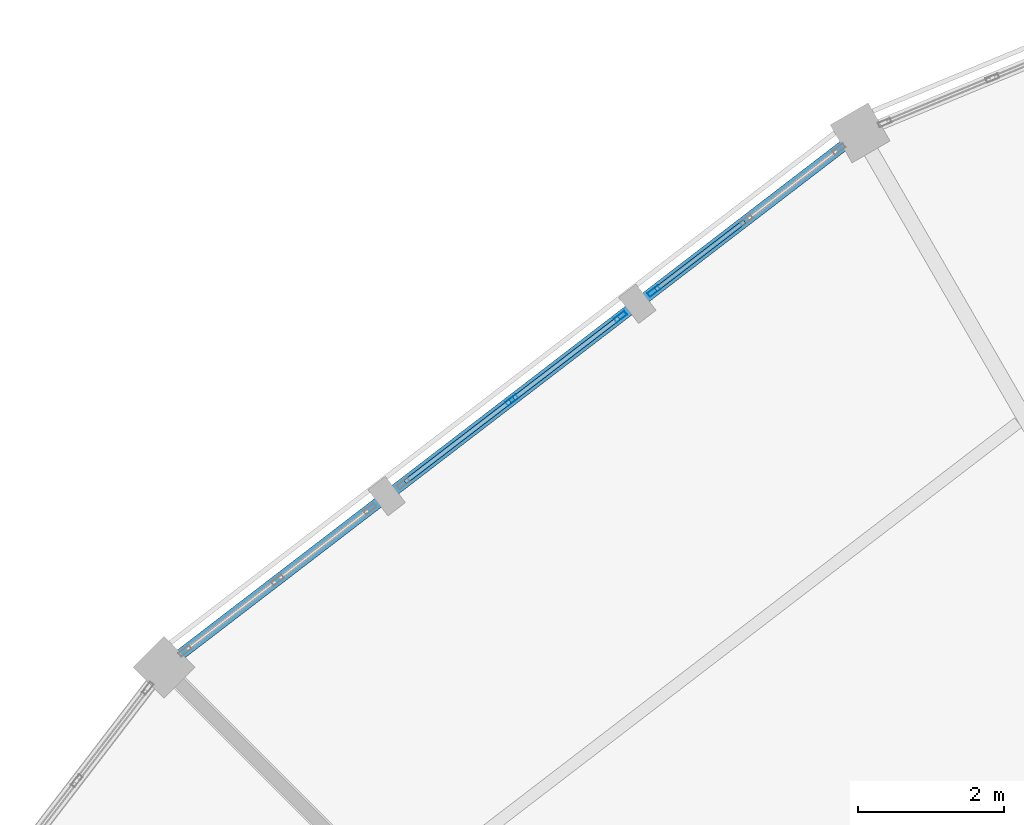
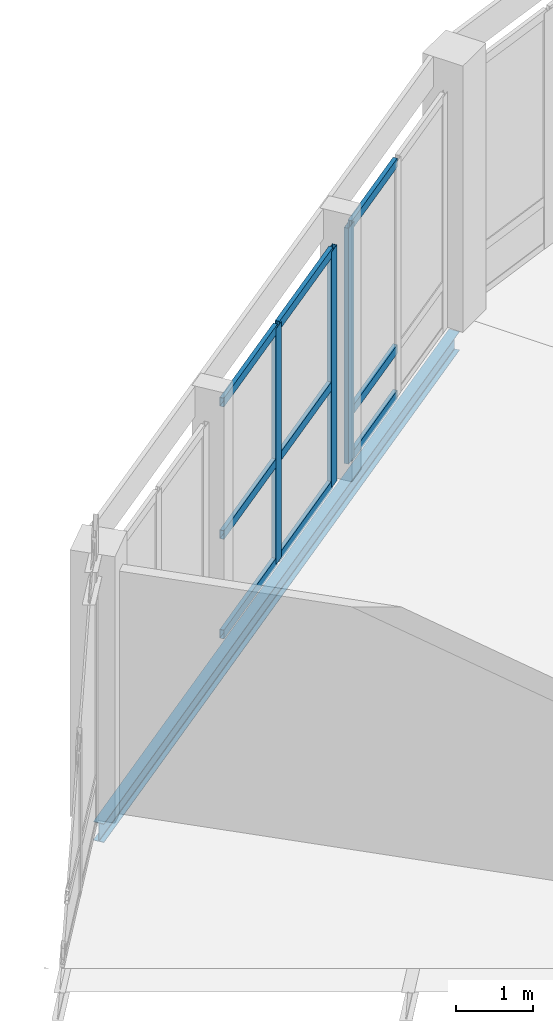
# One storey, part 90 of 200: 12 members, 1 beam, 2 elements without a shape of their own.
"""IFC4 building model written with IfcOpenShell, lengths in metres."""

from ifc_helpers import new_model, si_unit, direction, frame, origin, origin_2d, place, context, subcontext, project, spatial, hollow_rectangle, i_section, extrude, material, material_profile, profile_set, type_object, element, aggregate, save


model = new_model("IFC4")

# Units and contexts
model_context = context("Model", 3, precision=1e-05, world=origin(), true_north=direction((0.0, 1.0)))
body_context = subcontext(model_context, "Body", "Model", "MODEL_VIEW")
ifc_project = project(units=[si_unit("LENGTHUNIT", "METRE"), si_unit("AREAUNIT", "SQUARE_METRE"), si_unit("VOLUMEUNIT", "CUBIC_METRE"), si_unit("PLANEANGLEUNIT", "RADIAN"), si_unit("MASSUNIT", "GRAM", prefix="KILO")], contexts=[model_context])

# Site, building, storey
site_placement = place(None, origin())
site = spatial("IfcSite", under=ifc_project, at=site_placement, CompositionType="ELEMENT")
building_placement = place(site_placement, origin())
building = spatial("IfcBuilding", under=site, at=building_placement, Name="Vondelvale Polytechnic", CompositionType="ELEMENT")
storey_placement = place(building_placement, frame((0.0, 0.0, 13.800048828125)))
storey = spatial("IfcBuildingStorey", under=building, at=storey_placement, Name="L03", CompositionType="ELEMENT", Elevation=13.800048828125)

# Beam
ifc_material_1 = material(Name="Steel 300PLUS (fy = 300 MPa)", Category="steel")
ifc_material_profile_1 = material_profile(ifc_material_1, i_section(OverallWidth=0.14892578125, OverallDepth=0.298095703125, WebThickness=0.005615234375, FlangeThickness=0.008056640625, FilletRadius=0.011474609375, at=origin_2d()), Name="310UB32.0")
ifc_profile_set_1 = profile_set([ifc_material_profile_1], Name="Steel 300PLUS (fy = 300 MPa)")
beam_type = type_object("IfcBeamType", Name="BM-UB310L", PredefinedType="BEAM", material=ifc_profile_set_1)
beam_placement = place(storey_placement, frame((79.0, 111.837158203125, -0.399169921875), z_axis=(-0.793349743808, -0.608766116008, 0.0), x_axis=(0.608766116008, -0.793349743808, 0.0)))
element("IfcBeam", 1, at=beam_placement, inside=storey, type_object=beam_type, Name="L03 RB B-25", PredefinedType="BEAM", context=body_context, shape_type="SweptSolid", body=[
    extrude(i_section(OverallWidth=0.14892578125, OverallDepth=0.298095703125, WebThickness=0.005615234375, FlangeThickness=0.008056640625, FilletRadius=0.011474609375, at=origin_2d()), origin(), (0.0, 0.0, 1.0), 12.00830078125),
])

# Curtain wall, member
ifc_material_2 = material(Name="Glulam GL18 structural Tasmanian oak (fb = 42 MPa)", Category="wood")
curtain_wall_type = type_object("IfcCurtainWallType", Name="CW-RING-OUTER", PredefinedType="NOTDEFINED", material=ifc_material_2)
curtain_wall_1_placement = place(storey_placement, origin())
curtain_wall_1 = element("IfcCurtainWall", 2, at=curtain_wall_1_placement, inside=storey, type_object=curtain_wall_type, Name="L03 architectural curtain wall CW-04-203", PredefinedType="NOTDEFINED")
ifc_material_3 = material(Name="Anodised extruded aluminium 6063-T6", Category="aluminium")
ifc_material_profile_2 = material_profile(ifc_material_3, hollow_rectangle(XDim=0.06494140625, YDim=0.179931640625, WallThickness=0.00390625, at=origin_2d()), Name="CW-MUL-180x65")
ifc_profile_set_2 = profile_set([ifc_material_profile_2], Name="Anodised extruded aluminium 6063-T6")
member_type_1 = type_object("IfcMemberType", Name="CW-MUL-65x180", PredefinedType="MULLION", material=ifc_profile_set_2)
member_1_placement = place(storey_placement, frame((76.179443359375, 109.6728515625, 0.0), z_axis=(0.0, 0.0, 1.0), x_axis=(0.608786860133, -0.793333825656, 0.0)))
member_1 = element("IfcMember", 3, at=member_1_placement, type_object=member_type_1, Name="CW-04-203 mullion 3", PredefinedType="MULLION", context=body_context, shape_type="SweptSolid", body=[
    extrude(hollow_rectangle(XDim=0.06494140625, YDim=0.179931640625, WallThickness=0.00390625, at=origin_2d()), origin(), (0.0, 0.0, 1.0), 3.719970703125),
])

# Curtain wall, members
curtain_wall_2_placement = place(storey_placement, origin())
curtain_wall_2 = element("IfcCurtainWall", 4, at=curtain_wall_2_placement, inside=storey, type_object=curtain_wall_type, Name="L03 architectural curtain wall CW-04-204", PredefinedType="NOTDEFINED")
member_2_placement = place(storey_placement, frame((75.723388671875, 109.322998046875, 0.0), z_axis=(0.0, 0.0, 1.0), x_axis=(0.608771189063, -0.793345851043, 0.0)))
member_2 = element("IfcMember", 5, at=member_2_placement, type_object=member_type_1, Name="CW-04-204 mullion 1", PredefinedType="MULLION", context=body_context, shape_type="SweptSolid", body=[
    extrude(hollow_rectangle(XDim=0.06494140625, YDim=0.179931640625, WallThickness=0.00390625, at=origin_2d()), origin(), (0.0, 0.0, 1.0), 3.719970703125),
])
member_3_placement = place(storey_placement, frame((74.236572265625, 108.18212890625, 0.0), z_axis=(0.0, 0.0, 1.0), x_axis=(0.608771189063, -0.793345851043, 0.0)))
member_3 = element("IfcMember", 6, at=member_3_placement, type_object=member_type_1, Name="CW-04-204 mullion 2", PredefinedType="MULLION", context=body_context, shape_type="SweptSolid", body=[
    extrude(hollow_rectangle(XDim=0.06494140625, YDim=0.179931640625, WallThickness=0.00390625, at=origin_2d()), origin(), (0.0, 0.0, 1.0), 3.719970703125),
])

# Member
ifc_material_profile_3 = material_profile(ifc_material_3, hollow_rectangle(XDim=0.06005859375, YDim=0.139892578125, WallThickness=0.00341796875, at=origin_2d()), Name="CW-TRN-140x60")
ifc_profile_set_3 = profile_set([ifc_material_profile_3], Name="Anodised extruded aluminium 6063-T6")
member_type_2 = type_object("IfcMemberType", Name="CW-TRN-60x140", PredefinedType="USERDEFINED", material=ifc_profile_set_3)
member_4_placement = place(storey_placement, frame((77.4189453125, 110.6240234375, 0.030029296875), z_axis=(-0.793305741078, -0.60882345649, 0.0), x_axis=(0.60882345649, -0.793305741078, 0.0)))
member_4 = element("IfcMember", 7, at=member_4_placement, type_object=member_type_2, Name="CW-04-203 transom 2.1", ObjectType="TRANSOM", PredefinedType="USERDEFINED", context=body_context, shape_type="SweptSolid", body=[
    extrude(hollow_rectangle(XDim=0.06005859375, YDim=0.139892578125, WallThickness=0.00341796875, at=origin_2d()), origin(), (0.0, 0.0, 1.0), 1.52978515625),
])

member_5_placement = place(storey_placement, frame((77.4189453125, 110.6240234375, 0.75), z_axis=(-0.793305741078, -0.60882345649, 0.0), x_axis=(0.60882345649, -0.793305741078, 0.0)))
member_5 = element("IfcMember", 8, at=member_5_placement, type_object=member_type_2, Name="CW-04-203 transom 2.2", ObjectType="TRANSOM", PredefinedType="USERDEFINED", context=body_context, shape_type="SweptSolid", body=[
    extrude(hollow_rectangle(XDim=0.06005859375, YDim=0.139892578125, WallThickness=0.00341796875, at=origin_2d()), origin(), (0.0, 0.0, 1.0), 1.52978515625),
])

member_6_placement = place(storey_placement, frame((77.4189453125, 110.6240234375, 3.68994140625), z_axis=(-0.793305741078, -0.60882345649, 0.0), x_axis=(0.60882345649, -0.793305741078, 0.0)))
member_6 = element("IfcMember", 9, at=member_6_placement, type_object=member_type_2, Name="CW-04-203 transom 2.3", ObjectType="TRANSOM", PredefinedType="USERDEFINED", context=body_context, shape_type="SweptSolid", body=[
    extrude(hollow_rectangle(XDim=0.06005859375, YDim=0.139892578125, WallThickness=0.00341796875, at=origin_2d()), origin(), (0.0, 0.0, 1.0), 1.52978515625),
])

aggregate(curtain_wall_1, [member_1, member_4, member_5, member_6])

member_7_placement = place(storey_placement, frame((75.697509765625, 109.30322265625, 0.030029296875), z_axis=(-0.793310842007, -0.608816809849, 0.0), x_axis=(0.608816809849, -0.793310842007, 0.0)))
member_7 = element("IfcMember", 10, at=member_7_placement, type_object=member_type_2, Name="CW-04-204 transom 1.1", ObjectType="TRANSOM", PredefinedType="USERDEFINED", context=body_context, shape_type="SweptSolid", body=[
    extrude(hollow_rectangle(XDim=0.06005859375, YDim=0.139892578125, WallThickness=0.00341796875, at=origin_2d()), origin(), (0.0, 0.0, 1.0), 1.808837890625),
])

member_8_placement = place(storey_placement, frame((75.697509765625, 109.30322265625, 1.599853515625), z_axis=(-0.793310842007, -0.608816809849, 0.0), x_axis=(0.608816809849, -0.793310842007, 0.0)))
member_8 = element("IfcMember", 11, at=member_8_placement, type_object=member_type_2, Name="CW-04-204 transom 1.2", ObjectType="TRANSOM", PredefinedType="USERDEFINED", context=body_context, shape_type="SweptSolid", body=[
    extrude(hollow_rectangle(XDim=0.06005859375, YDim=0.139892578125, WallThickness=0.00341796875, at=origin_2d()), origin(), (0.0, 0.0, 1.0), 1.808837890625),
])

member_9_placement = place(storey_placement, frame((75.697509765625, 109.30322265625, 3.68994140625), z_axis=(-0.793310842007, -0.608816809849, 0.0), x_axis=(0.608816809849, -0.793310842007, 0.0)))
member_9 = element("IfcMember", 12, at=member_9_placement, type_object=member_type_2, Name="CW-04-204 transom 1.3", ObjectType="TRANSOM", PredefinedType="USERDEFINED", context=body_context, shape_type="SweptSolid", body=[
    extrude(hollow_rectangle(XDim=0.06005859375, YDim=0.139892578125, WallThickness=0.00341796875, at=origin_2d()), origin(), (0.0, 0.0, 1.0), 1.808837890625),
])

member_10_placement = place(storey_placement, frame((74.210693359375, 108.162353515625, 0.030029296875), z_axis=(-0.793310842007, -0.608816809849, 0.0), x_axis=(0.608816809849, -0.793310842007, 0.0)))
member_10 = element("IfcMember", 13, at=member_10_placement, type_object=member_type_2, Name="CW-04-204 transom 2.1", ObjectType="TRANSOM", PredefinedType="USERDEFINED", context=body_context, shape_type="SweptSolid", body=[
    extrude(hollow_rectangle(XDim=0.06005859375, YDim=0.139892578125, WallThickness=0.00341796875, at=origin_2d()), origin(), (0.0, 0.0, 1.0), 1.808837890625),
])

member_11_placement = place(storey_placement, frame((74.210693359375, 108.162353515625, 1.599853515625), z_axis=(-0.793310842007, -0.608816809849, 0.0), x_axis=(0.608816809849, -0.793310842007, 0.0)))
member_11 = element("IfcMember", 14, at=member_11_placement, type_object=member_type_2, Name="CW-04-204 transom 2.2", ObjectType="TRANSOM", PredefinedType="USERDEFINED", context=body_context, shape_type="SweptSolid", body=[
    extrude(hollow_rectangle(XDim=0.06005859375, YDim=0.139892578125, WallThickness=0.00341796875, at=origin_2d()), origin(), (0.0, 0.0, 1.0), 1.808837890625),
])

member_12_placement = place(storey_placement, frame((74.210693359375, 108.162353515625, 3.68994140625), z_axis=(-0.793310842007, -0.608816809849, 0.0), x_axis=(0.608816809849, -0.793310842007, 0.0)))
member_12 = element("IfcMember", 15, at=member_12_placement, type_object=member_type_2, Name="CW-04-204 transom 2.3", ObjectType="TRANSOM", PredefinedType="USERDEFINED", context=body_context, shape_type="SweptSolid", body=[
    extrude(hollow_rectangle(XDim=0.06005859375, YDim=0.139892578125, WallThickness=0.00341796875, at=origin_2d()), origin(), (0.0, 0.0, 1.0), 1.808837890625),
])

aggregate(curtain_wall_2, [member_2, member_3, member_7, member_8, member_9, member_10, member_11, member_12])

save(model, "model.ifc")
